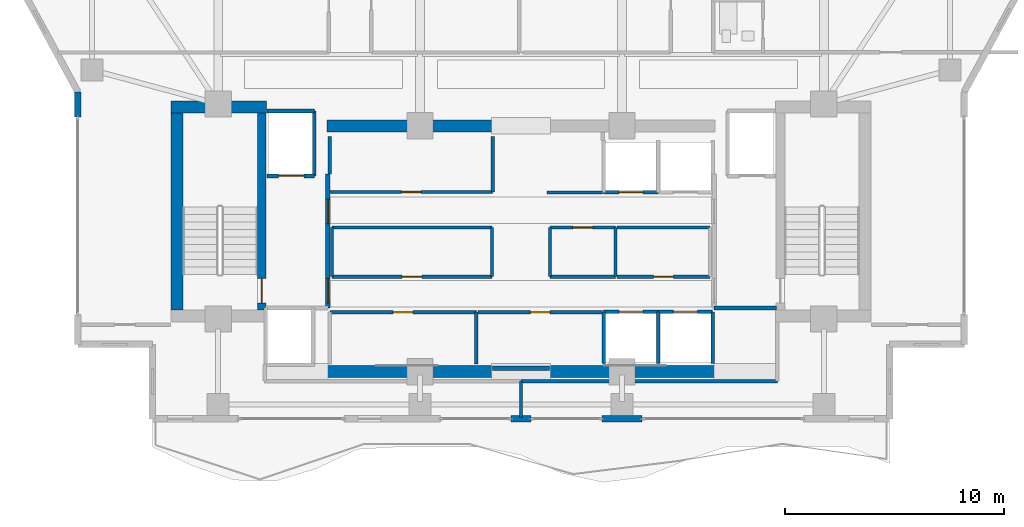
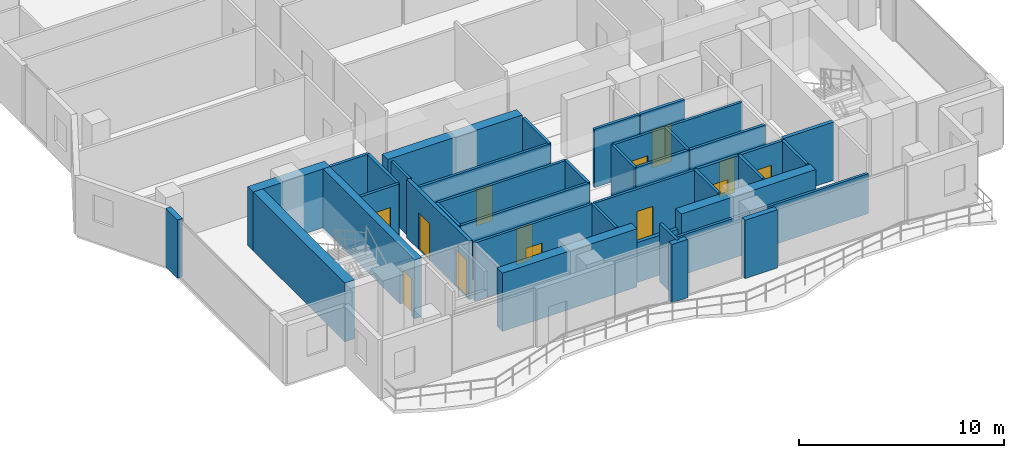
# One storey, part 17 of 23: 40 walls, 13 doors, 13 openings.
"""IFC4 building model written with IfcOpenShell, lengths in metres."""

import ifcopenshell
import ifcopenshell.guid

model = None  # the IFC model being written
_history = None  # IfcOwnerHistory: only IFC2X3 demands one
_inside = {}  # id of a spatial element -> (the spatial element, [elements in it])
_under = {}  # id of a project, library or spatial element -> (it, [spatial elements below it])
_declared = {}  # id of a project -> (the project, [libraries it declares])
_typed = {}  # id of a type object -> (the type object, [elements of that type])
_made_of = {}  # id of a material, layer set ... -> (it, [elements and type objects made of it])


def new_model(schema):
    """Start an empty IFC model of exactly this schema.

    Asked for "IFC4X3", IfcOpenShell would pick the latest addendum, in which some entities
    have other attributes; the version numbers below select the first issue.
    IFC2X3 requires an IfcOwnerHistory on every rooted entity: one is made here for all.
    """
    global model, _history
    if schema == "IFC4X3":
        model = ifcopenshell.file(schema_version=(4, 3, 0, 0))
    else:
        model = ifcopenshell.file(schema=schema)
    _inside.clear()
    _under.clear()
    _declared.clear()
    _typed.clear()
    _made_of.clear()
    _history = None
    if model.schema == "IFC2X3":
        org = make("IfcOrganization", Name="unknown")
        user = make(
            "IfcPersonAndOrganization",
            ThePerson=make("IfcPerson", FamilyName="unknown"),
            TheOrganization=org,
        )
        app = make(
            "IfcApplication",
            ApplicationDeveloper=org,
            Version="unknown",
            ApplicationFullName="unknown",
            ApplicationIdentifier="unknown",
        )
        _history = make(
            "IfcOwnerHistory",
            OwningUser=user,
            OwningApplication=app,
            ChangeAction="ADDED",
            CreationDate=0,
        )
    return model


def make(cls, **values):
    """One entity of the class cls with the attributes given. An attribute that is None is left unset."""
    return model.create_entity(
        cls, **{name: value for name, value in values.items() if value is not None}
    )


def rooted(cls, **values):
    """An entity with a GlobalId (a new one), such as an element, a storey or a relation."""
    return make(cls, GlobalId=ifcopenshell.guid.new(), OwnerHistory=_history, **values)


def si_unit(unit_type, name, prefix=None):
    """IfcSIUnit, for example si_unit("LENGTHUNIT", "METRE", prefix="MILLI")."""
    return make("IfcSIUnit", UnitType=unit_type, Prefix=prefix, Name=name)


def assignment(units):
    """IfcUnitAssignment: the units of a project."""
    return None if units is None else make("IfcUnitAssignment", Units=units)


def point(xyz):
    """IfcCartesianPoint."""
    return None if xyz is None else make("IfcCartesianPoint", Coordinates=xyz)


def direction(xyz):
    """IfcDirection."""
    return None if xyz is None else make("IfcDirection", DirectionRatios=xyz)


def frame(location, z_axis=None, x_axis=None):
    """IfcAxis2Placement3D, a coordinate frame: its origin and axes. An axis left out is left unset."""
    return make(
        "IfcAxis2Placement3D",
        Location=point(location),
        Axis=direction(z_axis),
        RefDirection=direction(x_axis),
    )


def frame_2d(location, x_axis=None):
    """IfcAxis2Placement2D, a coordinate frame in the plane: its origin and x axis."""
    return make(
        "IfcAxis2Placement2D", Location=point(location), RefDirection=direction(x_axis)
    )


def origin():
    """The frame at (0, 0, 0) with its axes left unset."""
    return frame((0.0, 0.0, 0.0))


def place(relative_to, where):
    """IfcLocalPlacement: puts the frame where relative to a parent placement (None: the world)."""
    return make(
        "IfcLocalPlacement", PlacementRelTo=relative_to, RelativePlacement=where
    )


def context(
    kind, dimensions, precision=None, world=None, true_north=None, identifier=None
):
    """IfcGeometricRepresentationContext, for example the 3D "Model" context."""
    return make(
        "IfcGeometricRepresentationContext",
        ContextIdentifier=identifier,
        ContextType=kind,
        CoordinateSpaceDimension=dimensions,
        Precision=precision,
        WorldCoordinateSystem=world,
        TrueNorth=true_north,
    )


def subcontext(parent, identifier, kind, view, scale=None):
    """IfcGeometricRepresentationSubContext, for example "Body" below "Model"."""
    return make(
        "IfcGeometricRepresentationSubContext",
        ContextIdentifier=identifier,
        ContextType=kind,
        ParentContext=parent,
        TargetScale=scale,
        TargetView=view,
    )


def project(units=None, contexts=None):
    """IfcProject with its units and contexts."""
    return rooted(
        "IfcProject",
        Name="project",
        RepresentationContexts=contexts,
        UnitsInContext=assignment(units),
    )


def spatial(cls, under=None, at=None, **own):
    """A site, building, storey or space (cls), placed at a placement, below another one or the project."""
    s = rooted(cls, ObjectPlacement=at, **own)
    if under is not None:
        _under.setdefault(under.id(), (under, []))[1].append(s)
    return s


def profile(cls, at=None, kind="AREA", **sizes):
    """A parametric profile (cls). Its sizes go by their IFC names, for example OverallWidth=200.0."""
    return make(cls, ProfileType=kind, Position=at, **sizes)


def rectangle(**sizes):
    """IfcRectangleProfileDef."""
    return profile("IfcRectangleProfileDef", **sizes)


def extrude(swept, where, along, depth):
    """IfcExtrudedAreaSolid: the profile swept, set in the frame where, extruded along a direction by depth."""
    return make(
        "IfcExtrudedAreaSolid",
        SweptArea=swept,
        Position=where,
        ExtrudedDirection=direction(along),
        Depth=depth,
    )


def shape(context_of_items, identifier, shape_type, items):
    """IfcShapeRepresentation: the items that make up one representation, for example the "Body"."""
    return make(
        "IfcShapeRepresentation",
        ContextOfItems=context_of_items,
        RepresentationIdentifier=identifier,
        RepresentationType=shape_type,
        Items=items,
    )


def material(Name=None, Category=None):
    """IfcMaterial."""
    return make("IfcMaterial", Name=Name, Category=Category)


def layer(
    of_material, thickness, ventilated=None, Name=None, Category=None, Priority=None
):
    """IfcMaterialLayer: one layer of a wall or slab, of a material (None: an air gap)."""
    return make(
        "IfcMaterialLayer",
        Material=of_material,
        LayerThickness=thickness,
        IsVentilated=ventilated,
        Name=Name,
        Category=Category,
        Priority=Priority,
    )


def layer_set(layers, Name=None):
    """IfcMaterialLayerSet."""
    return make("IfcMaterialLayerSet", MaterialLayers=layers, LayerSetName=Name)


def made_of(thing, what):
    """Note that an element or type object is made of a material, layer set ...; save() writes the relation."""
    if what is not None:
        _made_of.setdefault(what.id(), (what, []))[1].append(thing)
    return thing


def type_object(cls, material=None, **own):
    """A type object (cls), such as IfcWallType, which elements share."""
    return made_of(rooted(cls, **own), material)


def element(
    cls,
    number,
    at=None,
    inside=None,
    cuts=None,
    type_object=None,
    material=None,
    context=None,
    identifier="Body",
    shape_type=None,
    held_by="IfcProductDefinitionShape",
    body=None,
    shapes=None,
    **own,
):
    """One element of the class cls, such as IfcWall. Its Tag is "e" and its number.

    at: its placement. inside: the storey or other place that contains it. cuts: it is an
    opening in that element (IfcRelVoidsElement). A single representation is given by context,
    identifier, shape_type and body (its items); several are given by shapes. held_by: the class
    of the entity that holds the representations. save() writes the other relations.
    """
    e = rooted(cls, Tag="e%d" % number, ObjectPlacement=at, **own)
    if body is not None:
        shapes = [shape(context, identifier, shape_type, body)]
    if shapes is not None:
        e.Representation = make(held_by, Representations=shapes)
    if inside is not None:
        _inside.setdefault(inside.id(), (inside, []))[1].append(e)
    if cuts is not None:
        rooted(
            "IfcRelVoidsElement", RelatingBuildingElement=cuts, RelatedOpeningElement=e
        )
    if type_object is not None:
        _typed.setdefault(type_object.id(), (type_object, []))[1].append(e)
    return made_of(e, material)


def fill(opening, filler):
    """IfcRelFillsElement: the door or window that sits in an opening."""
    return rooted(
        "IfcRelFillsElement",
        RelatingOpeningElement=opening,
        RelatedBuildingElement=filler,
    )


def aggregate(whole, parts):
    """IfcRelAggregates: a whole, such as a stair, and the parts it consists of."""
    return rooted("IfcRelAggregates", RelatingObject=whole, RelatedObjects=parts)


def save(model, path):
    """Write the relations noted so far, then the file.

    IfcRelAggregates (storeys below a building ...), IfcRelContainedInSpatialStructure (elements
    in a storey), IfcRelDefinesByType, IfcRelAssociatesMaterial and IfcRelDeclares: one each for
    every whole, place, type object, material and project.
    """
    for whole, parts in _under.values():
        aggregate(whole, parts)
    for where, things in _inside.values():
        rooted(
            "IfcRelContainedInSpatialStructure",
            RelatedElements=things,
            RelatingStructure=where,
        )
    for kind, things in _typed.values():
        rooted("IfcRelDefinesByType", RelatedObjects=things, RelatingType=kind)
    for what, things in _made_of.values():
        rooted("IfcRelAssociatesMaterial", RelatedObjects=things, RelatingMaterial=what)
    for by, libraries in _declared.values():
        rooted("IfcRelDeclares", RelatingContext=by, RelatedDefinitions=libraries)
    model.write(path)


model = new_model("IFC4")

# Units and contexts
model_context = context("Model", 3, precision=1e-05, world=origin(), true_north=direction((0.0, 1.0)))
body_context = subcontext(model_context, "Body", "Model", "MODEL_VIEW")
ifc_project = project(units=[si_unit("LENGTHUNIT", "METRE"), si_unit("AREAUNIT", "SQUARE_METRE"), si_unit("VOLUMEUNIT", "CUBIC_METRE"), si_unit("PLANEANGLEUNIT", "RADIAN"), si_unit("MASSUNIT", "GRAM", prefix="KILO")], contexts=[model_context])

# Site, building, storey
site_placement = place(None, origin())
site = spatial("IfcSite", under=ifc_project, at=site_placement, CompositionType="ELEMENT")
building_placement = place(site_placement, origin())
building = spatial("IfcBuilding", under=site, at=building_placement, Name="Zuhayl Quay Hotel", CompositionType="ELEMENT")
storey_placement = place(building_placement, frame((0.0, 0.0, 261.85009765625)))
storey = spatial("IfcBuildingStorey", under=building, at=storey_placement, Name="L66", CompositionType="ELEMENT", Elevation=261.85009765625)

# Walls
ifc_material_1 = material(Name="Concrete C50/60", Category="concrete")
ifc_layer_1 = layer(ifc_material_1, 0.550048828125, Name="Concrete C50/60", Category="concrete")
ifc_layer_set_1 = layer_set([ifc_layer_1], Name="Concrete C50/60")
wall_type_1 = type_object("IfcWallType", Name="WL_CORE_550", PredefinedType="SHEAR", material=ifc_layer_set_1)
wall_1_placement = place(storey_placement, frame((-15.9599609375, 14.205078125, 0.0), z_axis=(0.0, 0.0, 1.0), x_axis=(1.0, 0.0, 0.0)))
element("IfcWall", 1, at=wall_1_placement, inside=storey, type_object=wall_type_1, Name="L66 Core Shear Wall CW_NW", PredefinedType="SHEAR", context=body_context, shape_type="SweptSolid", body=[
    extrude(rectangle(XDim=4.35986328125, YDim=0.550048828125, at=frame_2d((2.179931640625, 0.0))), origin(), (0.0, 0.0, 1.0), 3.510009765625),
])
wall_2_placement = place(storey_placement, frame((-15.68505859375, 4.969970703125, 0.0), z_axis=(0.0, 0.0, 1.0), x_axis=(0.0, 1.0, 0.0)))
element("IfcWall", 2, at=wall_2_placement, inside=storey, type_object=wall_type_1, Name="L66 Core Shear Wall CW_W", PredefinedType="SHEAR", context=body_context, shape_type="SweptSolid", body=[
    extrude(rectangle(XDim=8.9599609375, YDim=0.550048828125, at=frame_2d((4.47998046875, 0.0))), origin(), (0.0, 0.0, 1.0), 3.510009765625),
])
for number, where, z_axis, x_axis, name in (
    (3, (-8.85009765625, 2.14990234375, 0.0), (0.0, 0.0, 1.0), (1.0, 0.0, 0.0), "L66 Core Shear Wall CW_SC_W"),
    (4, (1.25, 2.14990234375, 0.0), (0.0, 0.0, 1.0), (1.0, 0.0, 0.0), "L66 Core Shear Wall CW_SC_E"),
    (5, (-8.85009765625, 13.35009765625, 0.0), (0.0, 0.0, 1.0), (1.0, 0.0, 0.0), "L66 Core Shear Wall CW_NC_W"),
):
    element("IfcWall", number, at=place(storey_placement, frame(where, z_axis=z_axis, x_axis=x_axis)), inside=storey, type_object=wall_type_1, Name=name, PredefinedType="SHEAR", context=body_context, shape_type="SweptSolid", body=[
        extrude(rectangle(XDim=7.60009765625, YDim=0.550048828125, at=frame_2d((3.800048828125, 0.0))), origin(), (0.0, 0.0, 1.0), 3.47998046875),
    ])
ifc_material_2 = material(Name="Precast concrete C45/55", Category="concrete")
ifc_layer_2 = layer(ifc_material_2, 0.300048828125, Name="Precast concrete C45/55", Category="concrete")
ifc_layer_set_2 = layer_set([ifc_layer_2], Name="Precast concrete C45/55")
wall_type_2 = type_object("IfcWallType", Name="WL_EXT_300", PredefinedType="STANDARD", material=ifc_layer_set_2)
wall_3_placement = place(storey_placement, frame((-20.199951171875, 13.75, 0.0), z_axis=(0.0, 0.0, 1.0), x_axis=(0.0, 1.0, 0.0)))
element("IfcWall", 6, at=wall_3_placement, inside=storey, type_object=wall_type_2, Name="L66 Exterior Precast Wall ENV_L66_E02_EW2", PredefinedType="STANDARD", context=body_context, shape_type="SweptSolid", body=[
    extrude(rectangle(XDim=1.14990234375, YDim=0.300048828125, at=frame_2d((0.574951171875, 0.0))), origin(), (0.0, 0.0, 1.0), 3.47998046875),
])
wall_4_placement = place(storey_placement, frame((5.52001953125, 0.0, 0.0), z_axis=(0.0, 0.0, 1.0), x_axis=(-1.0, 0.0, 0.0)))
element("IfcWall", 7, at=wall_4_placement, inside=storey, type_object=wall_type_2, Name="L66 Exterior Precast Wall ENV_L66_S_EW2", PredefinedType="STANDARD", context=body_context, shape_type="SweptSolid", body=[
    extrude(rectangle(XDim=1.840087890625, YDim=0.300048828125, at=frame_2d((0.919921875, 0.0))), origin(), (0.0, 0.0, 1.0), 3.47998046875),
])
wall_5_placement = place(storey_placement, frame((0.449951171875, 0.0, 0.0), z_axis=(0.0, 0.0, 1.0), x_axis=(-1.0, 0.0, 0.0)))
element("IfcWall", 8, at=wall_5_placement, inside=storey, type_object=wall_type_2, Name="L66 Exterior Precast Wall ENV_L66_S_EW3", PredefinedType="STANDARD", context=body_context, shape_type="SweptSolid", body=[
    extrude(rectangle(XDim=0.89990234375, YDim=0.300048828125, at=frame_2d((0.449951171875, 0.0))), origin(), (0.0, 0.0, 1.0), 3.47998046875),
])

# Wall, opening, door
ifc_material_3 = material(Name="Acoustic Gypsum Partition STC-58")
ifc_layer_3 = layer(ifc_material_3, 0.14990234375, Name="Acoustic Gypsum Partition STC-58")
ifc_layer_set_3 = layer_set([ifc_layer_3], Name="Acoustic Gypsum Partition STC-58")
wall_type_3 = type_object("IfcWallType", Name="WL_PART_150", PredefinedType="PARTITIONING", material=ifc_layer_set_3)
wall_6_placement = place(storey_placement, frame((-8.7099609375, 4.860107421875, 0.0), z_axis=(0.0, 0.0, 1.0), x_axis=(1.0, 0.0, 0.0)))
wall_6 = element("IfcWall", 9, at=wall_6_placement, inside=storey, type_object=wall_type_3, Name="L66 Partition IW_L66_FMP_SW_N", PredefinedType="PARTITIONING", context=body_context, shape_type="SweptSolid", body=[
    extrude(rectangle(XDim=6.669921875, YDim=0.14990234375, at=frame_2d((3.3349609375, 0.0))), origin(), (0.0, 0.0, 1.0), 3.47998046875),
])
opening_1_placement = place(wall_6_placement, frame((2.885009765625, 0.0, 0.0)))
opening_1 = element("IfcOpeningElement", 10, at=opening_1_placement, cuts=wall_6, Name="Opening D06", PredefinedType="OPENING", context=body_context, shape_type="SweptSolid", body=[
    extrude(rectangle(XDim=0.89990234375, YDim=2.14990234375, at=frame_2d((0.449951171875, 1.074951171875))), frame((0.0, 0.0849609375, 0.0), z_axis=(0.0, -1.0, 0.0), x_axis=(1.0, 0.0, 0.0)), (0.0, 0.0, 1.0), 0.169921875),
])
ifc_material_4 = material(Name="Steel ASTM A992 Grade 50", Category="steel")
door_type_1 = type_object("IfcDoorType", Name="DR_INT_900", OperationType="NOTDEFINED", PredefinedType="DOOR", material=ifc_material_4)
door_1_placement = place(opening_1_placement, origin())
door_1 = element("IfcDoor", 11, at=door_1_placement, inside=storey, type_object=door_type_1, Name="L66 Sky-Suite Sommelier Pantry Door", OperationType="SINGLE_SWING_RIGHT", OverallHeight=2.14990234375, OverallWidth=0.89990234375, PredefinedType="DOOR", context=body_context, shape_type="SweptSolid", body=[
    extrude(rectangle(XDim=0.89990234375, YDim=2.14990234375, at=frame_2d((0.449951171875, 1.074951171875))), frame((0.0, 0.02490234375, 0.0), z_axis=(0.0, -1.0, 0.0), x_axis=(1.0, 0.0, 0.0)), (0.0, 0.0, 1.0), 0.050048828125),
])
fill(opening_1, door_1)

wall_7_placement = place(storey_placement, frame((-1.9599609375, 4.860107421875, 0.0), z_axis=(0.0, 0.0, 1.0), x_axis=(1.0, 0.0, 0.0)))
wall_7 = element("IfcWall", 12, at=wall_7_placement, inside=storey, type_object=wall_type_3, Name="L66 Partition IW_L66_FMP_SE_N", PredefinedType="PARTITIONING", context=body_context, shape_type="SweptSolid", body=[
    extrude(rectangle(XDim=5.669921875, YDim=0.14990234375, at=frame_2d((2.8349609375, 0.0))), origin(), (0.0, 0.0, 1.0), 3.47998046875),
])
opening_2_placement = place(wall_7_placement, frame((2.385009765625, 0.0, 0.0)))
opening_2 = element("IfcOpeningElement", 13, at=opening_2_placement, cuts=wall_7, Name="Opening D06", PredefinedType="OPENING", context=body_context, shape_type="SweptSolid", body=[
    extrude(rectangle(XDim=0.89990234375, YDim=2.14990234375, at=frame_2d((0.449951171875, 1.074951171875))), frame((0.0, 0.0849609375, 0.0), z_axis=(0.0, -1.0, 0.0), x_axis=(1.0, 0.0, 0.0)), (0.0, 0.0, 1.0), 0.169921875),
])
door_2_placement = place(opening_2_placement, origin())
door_2 = element("IfcDoor", 14, at=door_2_placement, inside=storey, type_object=door_type_1, Name="L66 Butler Linen Store Door", OperationType="SINGLE_SWING_LEFT", OverallHeight=2.14990234375, OverallWidth=0.89990234375, PredefinedType="DOOR", context=body_context, shape_type="SweptSolid", body=[
    extrude(rectangle(XDim=0.89990234375, YDim=2.14990234375, at=frame_2d((0.449951171875, 1.074951171875))), frame((0.0, 0.02490234375, 0.0), z_axis=(0.0, -1.0, 0.0), x_axis=(1.0, 0.0, 0.0)), (0.0, 0.0, 1.0), 0.050048828125),
])
fill(opening_2, door_2)

wall_8_placement = place(storey_placement, frame((-8.7099609375, 10.340087890625, 0.0), z_axis=(0.0, 0.0, 1.0), x_axis=(1.0, 0.0, 0.0)))
wall_8 = element("IfcWall", 15, at=wall_8_placement, inside=storey, type_object=wall_type_3, Name="L66 Partition IW_L66_FMP_NW_S", PredefinedType="PARTITIONING", context=body_context, shape_type="SweptSolid", body=[
    extrude(rectangle(XDim=7.419921875, YDim=0.14990234375, at=frame_2d((3.7099609375, 0.0))), origin(), (0.0, 0.0, 1.0), 3.47998046875),
])
opening_3_placement = place(wall_8_placement, frame((3.260009765625, 0.0, 0.0)))
opening_3 = element("IfcOpeningElement", 16, at=opening_3_placement, cuts=wall_8, Name="Opening D06", PredefinedType="OPENING", context=body_context, shape_type="SweptSolid", body=[
    extrude(rectangle(XDim=0.89990234375, YDim=2.14990234375, at=frame_2d((0.449951171875, 1.074951171875))), frame((0.0, 0.0849609375, 0.0), z_axis=(0.0, -1.0, 0.0), x_axis=(1.0, 0.0, 0.0)), (0.0, 0.0, 1.0), 0.169921875),
])
door_3_placement = place(opening_3_placement, origin())
door_3 = element("IfcDoor", 17, at=door_3_placement, inside=storey, type_object=door_type_1, Name="L66 Valet Linen Store Door", OperationType="SINGLE_SWING_RIGHT", OverallHeight=2.14990234375, OverallWidth=0.89990234375, PredefinedType="DOOR", context=body_context, shape_type="SweptSolid", body=[
    extrude(rectangle(XDim=0.89990234375, YDim=2.14990234375, at=frame_2d((0.449951171875, 1.074951171875))), frame((0.0, 0.02490234375, 0.0), z_axis=(0.0, -1.0, 0.0), x_axis=(1.0, 0.0, 0.0)), (0.0, 0.0, 1.0), 0.050048828125),
])
fill(opening_3, door_3)

wall_9_placement = place(storey_placement, frame((-8.610107421875, 6.47998046875, 0.0), z_axis=(0.0, 0.0, 1.0), x_axis=(1.0, 0.0, 0.0)))
wall_9 = element("IfcWall", 18, at=wall_9_placement, inside=storey, type_object=wall_type_3, Name="L66 Partition IW_L66_CORE_EL_S", PredefinedType="PARTITIONING", context=body_context, shape_type="SweptSolid", body=[
    extrude(rectangle(XDim=7.2900390625, YDim=0.14990234375, at=frame_2d((3.64501953125, 0.0))), origin(), (0.0, 0.0, 1.0), 3.47998046875),
])
opening_4_placement = place(wall_9_placement, frame((3.195068359375, 0.0, 0.0)))
opening_4 = element("IfcOpeningElement", 19, at=opening_4_placement, cuts=wall_9, Name="Opening D06", PredefinedType="OPENING", context=body_context, shape_type="SweptSolid", body=[
    extrude(rectangle(XDim=0.89990234375, YDim=2.14990234375, at=frame_2d((0.449951171875, 1.074951171875))), frame((0.0, 0.0849609375, 0.0), z_axis=(0.0, -1.0, 0.0), x_axis=(1.0, 0.0, 0.0)), (0.0, 0.0, 1.0), 0.169921875),
])
door_4_placement = place(opening_4_placement, origin())
door_4 = element("IfcDoor", 20, at=door_4_placement, inside=storey, type_object=door_type_1, Name="L66 Floor Electrical Plant Room Door", OperationType="SINGLE_SWING_LEFT", OverallHeight=2.14990234375, OverallWidth=0.89990234375, PredefinedType="DOOR", context=body_context, shape_type="SweptSolid", body=[
    extrude(rectangle(XDim=0.89990234375, YDim=2.14990234375, at=frame_2d((0.449951171875, 1.074951171875))), frame((0.0, 0.02490234375, 0.0), z_axis=(0.0, -1.0, 0.0), x_axis=(1.0, 0.0, 0.0)), (0.0, 0.0, 1.0), 0.050048828125),
])
fill(opening_4, door_4)

wall_10_placement = place(storey_placement, frame((1.320068359375, 8.719970703125, 0.0), z_axis=(0.0, 0.0, 1.0), x_axis=(1.0, 0.0, 0.0)))
wall_10 = element("IfcWall", 21, at=wall_10_placement, inside=storey, type_object=wall_type_3, Name="L66 Partition IW_L66_CORE_IT_N", PredefinedType="PARTITIONING", context=body_context, shape_type="SweptSolid", body=[
    extrude(rectangle(XDim=2.989990234375, YDim=0.14990234375, at=frame_2d((1.4951171875, 0.0))), origin(), (0.0, 0.0, 1.0), 3.47998046875),
])
opening_5_placement = place(wall_10_placement, frame((1.044921875, 0.0, 0.0)))
opening_5 = element("IfcOpeningElement", 22, at=opening_5_placement, cuts=wall_10, Name="Opening D06", PredefinedType="OPENING", context=body_context, shape_type="SweptSolid", body=[
    extrude(rectangle(XDim=0.89990234375, YDim=2.14990234375, at=frame_2d((0.449951171875, 1.074951171875))), frame((0.0, 0.0849609375, 0.0), z_axis=(0.0, -1.0, 0.0), x_axis=(1.0, 0.0, 0.0)), (0.0, 0.0, 1.0), 0.169921875),
])
door_5_placement = place(opening_5_placement, origin())
door_5 = element("IfcDoor", 23, at=door_5_placement, inside=storey, type_object=door_type_1, Name="L66 Telecom Closet Door", OperationType="SINGLE_SWING_RIGHT", OverallHeight=2.14990234375, OverallWidth=0.89990234375, PredefinedType="DOOR", context=body_context, shape_type="SweptSolid", body=[
    extrude(rectangle(XDim=0.89990234375, YDim=2.14990234375, at=frame_2d((0.449951171875, 1.074951171875))), frame((0.0, 0.02490234375, 0.0), z_axis=(0.0, -1.0, 0.0), x_axis=(1.0, 0.0, 0.0)), (0.0, 0.0, 1.0), 0.050048828125),
])
fill(opening_5, door_5)

wall_11_placement = place(storey_placement, frame((4.3701171875, 6.47998046875, 0.0), z_axis=(0.0, 0.0, 1.0), x_axis=(1.0, 0.0, 0.0)))
wall_11 = element("IfcWall", 24, at=wall_11_placement, inside=storey, type_object=wall_type_3, Name="L66 Partition IW_L66_CORE_LN_S", PredefinedType="PARTITIONING", context=body_context, shape_type="SweptSolid", body=[
    extrude(rectangle(XDim=4.239990234375, YDim=0.14990234375, at=frame_2d((2.1201171875, 0.0))), origin(), (0.0, 0.0, 1.0), 3.47998046875),
])
opening_6_placement = place(wall_11_placement, frame((1.669921875, 0.0, 0.0)))
opening_6 = element("IfcOpeningElement", 25, at=opening_6_placement, cuts=wall_11, Name="Opening D06", PredefinedType="OPENING", context=body_context, shape_type="SweptSolid", body=[
    extrude(rectangle(XDim=0.89990234375, YDim=2.14990234375, at=frame_2d((0.449951171875, 1.074951171875))), frame((0.0, 0.0849609375, 0.0), z_axis=(0.0, -1.0, 0.0), x_axis=(1.0, 0.0, 0.0)), (0.0, 0.0, 1.0), 0.169921875),
])
door_6_placement = place(opening_6_placement, origin())
door_6 = element("IfcDoor", 26, at=door_6_placement, inside=storey, type_object=door_type_1, Name="L66 Core Linen Store Door", OperationType="SINGLE_SWING_LEFT", OverallHeight=2.14990234375, OverallWidth=0.89990234375, PredefinedType="DOOR", context=body_context, shape_type="SweptSolid", body=[
    extrude(rectangle(XDim=0.89990234375, YDim=2.14990234375, at=frame_2d((0.449951171875, 1.074951171875))), frame((0.0, 0.02490234375, 0.0), z_axis=(0.0, -1.0, 0.0), x_axis=(1.0, 0.0, 0.0)), (0.0, 0.0, 1.0), 0.050048828125),
])
fill(opening_6, door_6)

# Walls
wall_12_placement = place(storey_placement, frame((-2.0400390625, 2.489990234375, 0.0), z_axis=(0.0, 0.0, 1.0), x_axis=(0.0, 1.0, 0.0)))
element("IfcWall", 27, at=wall_12_placement, inside=storey, type_object=wall_type_3, Name="L66 Partition IW_L66_FMP_SW_E", PredefinedType="PARTITIONING", context=body_context, shape_type="SweptSolid", body=[
    extrude(rectangle(XDim=2.3701171875, YDim=0.14990234375, at=frame_2d((1.18505859375, 0.0))), origin(), (0.0, 0.0, 1.0), 3.47998046875),
])
wall_13_placement = place(storey_placement, frame((-8.7099609375, 11.14990234375, 0.0), z_axis=(0.0, 0.0, 1.0), x_axis=(0.0, 1.0, 0.0)))
element("IfcWall", 28, at=wall_13_placement, inside=storey, type_object=wall_type_3, Name="L66 Partition IW_L66_FMP_NW_W", PredefinedType="PARTITIONING", context=body_context, shape_type="SweptSolid", body=[
    extrude(rectangle(XDim=1.710205078125, YDim=0.14990234375, at=frame_2d((0.85498046875, 0.0))), origin(), (0.0, 0.0, 1.0), 3.47998046875),
])
wall_14_placement = place(storey_placement, frame((-1.2900390625, 10.340087890625, 0.0), z_axis=(0.0, 0.0, 1.0), x_axis=(0.0, 1.0, 0.0)))
element("IfcWall", 29, at=wall_14_placement, inside=storey, type_object=wall_type_3, Name="L66 Partition IW_L66_FMP_NW_E", PredefinedType="PARTITIONING", context=body_context, shape_type="SweptSolid", body=[
    extrude(rectangle(XDim=2.52001953125, YDim=0.14990234375, at=frame_2d((1.260009765625, 0.0))), origin(), (0.0, 0.0, 1.0), 3.47998046875),
])
wall_15_placement = place(storey_placement, frame((-8.610107421875, 8.719970703125, 0.0), z_axis=(0.0, 0.0, 1.0), x_axis=(1.0, 0.0, 0.0)))
element("IfcWall", 30, at=wall_15_placement, inside=storey, type_object=wall_type_3, Name="L66 Partition IW_L66_CORE_EL_N", PredefinedType="PARTITIONING", context=body_context, shape_type="SweptSolid", body=[
    extrude(rectangle(XDim=7.2900390625, YDim=0.14990234375, at=frame_2d((3.64501953125, 0.0))), origin(), (0.0, 0.0, 1.0), 3.47998046875),
])
for number, where, z_axis, x_axis, name in (
    (31, (-8.610107421875, 6.47998046875, 0.0), (0.0, 0.0, 1.0), (0.0, 1.0, 0.0), "L66 Partition IW_L66_CORE_EL_W"),
    (32, (-1.320068359375, 6.47998046875, 0.0), (0.0, 0.0, 1.0), (0.0, 1.0, 0.0), "L66 Partition IW_L66_CORE_EL_E"),
):
    element("IfcWall", number, at=place(storey_placement, frame(where, z_axis=z_axis, x_axis=x_axis)), inside=storey, type_object=wall_type_3, Name=name, PredefinedType="PARTITIONING", context=body_context, shape_type="SweptSolid", body=[
        extrude(rectangle(XDim=2.239990234375, YDim=0.14990234375, at=frame_2d((1.1201171875, 0.0))), origin(), (0.0, 0.0, 1.0), 3.47998046875),
    ])
wall_16_placement = place(storey_placement, frame((1.320068359375, 6.47998046875, 0.0), z_axis=(0.0, 0.0, 1.0), x_axis=(1.0, 0.0, 0.0)))
element("IfcWall", 33, at=wall_16_placement, inside=storey, type_object=wall_type_3, Name="L66 Partition IW_L66_CORE_IT_S", PredefinedType="PARTITIONING", context=body_context, shape_type="SweptSolid", body=[
    extrude(rectangle(XDim=2.989990234375, YDim=0.14990234375, at=frame_2d((1.4951171875, 0.0))), origin(), (0.0, 0.0, 1.0), 3.47998046875),
])
for number, where, z_axis, x_axis, name in (
    (34, (1.320068359375, 6.47998046875, 0.0), (0.0, 0.0, 1.0), (0.0, 1.0, 0.0), "L66 Partition IW_L66_CORE_IT_W"),
    (35, (4.31005859375, 6.47998046875, 0.0), (0.0, 0.0, 1.0), (0.0, 1.0, 0.0), "L66 Partition IW_L66_CORE_IT_E"),
):
    element("IfcWall", number, at=place(storey_placement, frame(where, z_axis=z_axis, x_axis=x_axis)), inside=storey, type_object=wall_type_3, Name=name, PredefinedType="PARTITIONING", context=body_context, shape_type="SweptSolid", body=[
        extrude(rectangle(XDim=2.239990234375, YDim=0.14990234375, at=frame_2d((1.1201171875, 0.0))), origin(), (0.0, 0.0, 1.0), 3.47998046875),
    ])
wall_17_placement = place(storey_placement, frame((4.3701171875, 8.719970703125, 0.0), z_axis=(0.0, 0.0, 1.0), x_axis=(1.0, 0.0, 0.0)))
element("IfcWall", 36, at=wall_17_placement, inside=storey, type_object=wall_type_3, Name="L66 Partition IW_L66_CORE_LN_N", PredefinedType="PARTITIONING", context=body_context, shape_type="SweptSolid", body=[
    extrude(rectangle(XDim=4.239990234375, YDim=0.14990234375, at=frame_2d((2.1201171875, 0.0))), origin(), (0.0, 0.0, 1.0), 3.47998046875),
])
wall_18_placement = place(storey_placement, frame((1.179931640625, 10.320068359375, 0.0), z_axis=(0.0, 0.0, 1.0), x_axis=(1.0, 0.0, 0.0)))
element("IfcWall", 37, at=wall_18_placement, inside=storey, type_object=wall_type_3, Name="L66 Partition IW_L66_VEST_MP4_S", PredefinedType="PARTITIONING", context=body_context, shape_type="SweptSolid", body=[
    extrude(rectangle(XDim=2.5400390625, YDim=0.14990234375, at=frame_2d((1.27001953125, 0.0))), origin(), (0.0, 0.0, 1.0), 3.47998046875),
])
wall_19_placement = place(storey_placement, frame((0.0, 1.719970703125, 0.0), z_axis=(0.0, 0.0, 1.0), x_axis=(1.0, 0.0, 0.0)))
element("IfcWall", 38, at=wall_19_placement, inside=storey, type_object=wall_type_3, Name="L66 Partition IW_L66_Z4_SUN_SE_SN", PredefinedType="PARTITIONING", context=body_context, shape_type="SweptSolid", body=[
    extrude(rectangle(XDim=11.679931640625, YDim=0.14990234375, at=frame_2d((5.83984375, 0.0))), origin(), (0.0, 0.0, 1.0), 2.3798828125),
])
wall_20_placement = place(storey_placement, frame((0.0, 0.06005859375, 0.0), z_axis=(0.0, 0.0, 1.0), x_axis=(0.0, 1.0, 0.0)))
element("IfcWall", 39, at=wall_20_placement, inside=storey, type_object=wall_type_3, Name="L66 Partition IW_L66_Z4_SUN_MID", PredefinedType="PARTITIONING", context=body_context, shape_type="SweptSolid", body=[
    extrude(rectangle(XDim=1.659912109375, YDim=0.14990234375, at=frame_2d((0.830078125, 0.0))), origin(), (0.0, 0.0, 1.0), 3.47998046875),
])

# Wall, opening, door
ifc_material_5 = material(Name="Gypsum Fireboard Assembly EI-90")
ifc_layer_4 = layer(ifc_material_5, 0.1650390625, Name="Gypsum Fireboard Assembly EI-90")
ifc_layer_set_4 = layer_set([ifc_layer_4], Name="Gypsum Fireboard Assembly EI-90")
wall_type_4 = type_object("IfcWallType", Name="WL_PART_SHAFT_160", PredefinedType="PARTITIONING", material=ifc_layer_set_4)
wall_21_placement = place(storey_placement, frame((-11.580078125, 11.070068359375, 0.0), z_axis=(0.0, 0.0, 1.0), x_axis=(1.0, 0.0, 0.0)))
wall_21 = element("IfcWall", 40, at=wall_21_placement, inside=storey, type_object=wall_type_4, Name="L66 Partition IW_L66_SH_FL1_F", PredefinedType="PARTITIONING", context=body_context, shape_type="SweptSolid", body=[
    extrude(rectangle(XDim=2.16015625, YDim=0.1650390625, at=frame_2d((1.080078125, 0.0))), origin(), (0.0, 0.0, 1.0), 3.47998046875),
])
opening_7_placement = place(wall_21_placement, frame((0.530029296875, 0.0, 0.0)))
opening_7 = element("IfcOpeningElement", 41, at=opening_7_placement, cuts=wall_21, Name="Opening LD2", PredefinedType="OPENING", context=body_context, shape_type="SweptSolid", body=[
    extrude(rectangle(XDim=1.14990234375, YDim=2.25, at=frame_2d((0.574951171875, 1.125))), frame((0.0, 0.092529296875, 0.0), z_axis=(0.0, -1.0, 0.0), x_axis=(1.0, 0.0, 0.0)), (0.0, 0.0, 1.0), 0.18505859375),
])
ifc_material_6 = material(Name="Brushed Stainless Steel", Category="steel")
door_type_2 = type_object("IfcDoorType", Name="DR_LIFT_FF_1100", OperationType="SLIDING_TO_LEFT", PredefinedType="DOOR", material=ifc_material_6)
door_7_placement = place(opening_7_placement, origin())
door_7 = element("IfcDoor", 42, at=door_7_placement, inside=storey, type_object=door_type_2, Name="L66 Lift FL1 Sliding Landing Door", OperationType="SLIDING_TO_LEFT", OverallHeight=2.25, OverallWidth=1.14990234375, PredefinedType="DOOR", context=body_context, shape_type="SweptSolid", body=[
    extrude(rectangle(XDim=1.14990234375, YDim=2.25, at=frame_2d((0.574951171875, 1.125))), frame((0.0, 0.02490234375, 0.0), z_axis=(0.0, -1.0, 0.0), x_axis=(1.0, 0.0, 0.0)), (0.0, 0.0, 1.0), 0.050048828125),
])
fill(opening_7, door_7)

wall_22_placement = place(storey_placement, frame((3.77001953125, 4.8798828125, 0.0), z_axis=(0.0, 0.0, 1.0), x_axis=(1.0, 0.0, 0.0)))
wall_22 = element("IfcWall", 43, at=wall_22_placement, inside=storey, type_object=wall_type_4, Name="L66 Partition IW_L66_SH_HP1_F", PredefinedType="PARTITIONING", context=body_context, shape_type="SweptSolid", body=[
    extrude(rectangle(XDim=2.47998046875, YDim=0.1650390625, at=frame_2d((1.239990234375, 0.0))), origin(), (0.0, 0.0, 1.0), 3.47998046875),
])
opening_8_placement = place(wall_22_placement, frame((0.68994140625, 0.0, 0.0)))
opening_8 = element("IfcOpeningElement", 44, at=opening_8_placement, cuts=wall_22, Name="Opening LD1", PredefinedType="OPENING", context=body_context, shape_type="SweptSolid", body=[
    extrude(rectangle(XDim=1.10009765625, YDim=2.25, at=frame_2d((0.550048828125, 1.125))), frame((0.0, 0.092529296875, 0.0), z_axis=(0.0, -1.0, 0.0), x_axis=(1.0, 0.0, 0.0)), (0.0, 0.0, 1.0), 0.18505859375),
])
door_type_3 = type_object("IfcDoorType", Name="DR_LIFT_PASS_1100", OperationType="SLIDING_TO_LEFT", PredefinedType="DOOR", material=ifc_material_6)
door_8_placement = place(opening_8_placement, origin())
door_8 = element("IfcDoor", 45, at=door_8_placement, inside=storey, type_object=door_type_3, Name="L66 Lift HP1 Sliding Landing Door", OperationType="SLIDING_TO_LEFT", OverallHeight=2.25, OverallWidth=1.10009765625, PredefinedType="DOOR", context=body_context, shape_type="SweptSolid", body=[
    extrude(rectangle(XDim=1.10009765625, YDim=2.25, at=frame_2d((0.550048828125, 1.125))), frame((0.0, 0.02490234375, 0.0), z_axis=(0.0, -1.0, 0.0), x_axis=(1.0, 0.0, 0.0)), (0.0, 0.0, 1.0), 0.050048828125),
])
fill(opening_8, door_8)

wall_23_placement = place(storey_placement, frame((6.25, 4.8798828125, 0.0), z_axis=(0.0, 0.0, 1.0), x_axis=(1.0, 0.0, 0.0)))
wall_23 = element("IfcWall", 46, at=wall_23_placement, inside=storey, type_object=wall_type_4, Name="L66 Partition IW_L66_SH_HP2_F", PredefinedType="PARTITIONING", context=body_context, shape_type="SweptSolid", body=[
    extrude(rectangle(XDim=2.47998046875, YDim=0.1650390625, at=frame_2d((1.239990234375, 0.0))), origin(), (0.0, 0.0, 1.0), 3.47998046875),
])
opening_9_placement = place(wall_23_placement, frame((0.68994140625, 0.0, 0.0)))
opening_9 = element("IfcOpeningElement", 47, at=opening_9_placement, cuts=wall_23, Name="Opening LD1", PredefinedType="OPENING", context=body_context, shape_type="SweptSolid", body=[
    extrude(rectangle(XDim=1.10009765625, YDim=2.25, at=frame_2d((0.550048828125, 1.125))), frame((0.0, 0.092529296875, 0.0), z_axis=(0.0, -1.0, 0.0), x_axis=(1.0, 0.0, 0.0)), (0.0, 0.0, 1.0), 0.18505859375),
])
door_9_placement = place(opening_9_placement, origin())
door_9 = element("IfcDoor", 48, at=door_9_placement, inside=storey, type_object=door_type_3, Name="L66 Lift HP2 Sliding Landing Door", OperationType="SLIDING_TO_LEFT", OverallHeight=2.25, OverallWidth=1.10009765625, PredefinedType="DOOR", context=body_context, shape_type="SweptSolid", body=[
    extrude(rectangle(XDim=1.10009765625, YDim=2.25, at=frame_2d((0.550048828125, 1.125))), frame((0.0, 0.02490234375, 0.0), z_axis=(0.0, -1.0, 0.0), x_axis=(1.0, 0.0, 0.0)), (0.0, 0.0, 1.0), 0.050048828125),
])
fill(opening_9, door_9)

wall_24_placement = place(storey_placement, frame((3.77001953125, 10.320068359375, 0.0), z_axis=(0.0, 0.0, 1.0), x_axis=(1.0, 0.0, 0.0)))
wall_24 = element("IfcWall", 49, at=wall_24_placement, inside=storey, type_object=wall_type_4, Name="L66 Partition IW_L66_SH_HP3_F", PredefinedType="PARTITIONING", context=body_context, shape_type="SweptSolid", body=[
    extrude(rectangle(XDim=2.47998046875, YDim=0.1650390625, at=frame_2d((1.239990234375, 0.0))), origin(), (0.0, 0.0, 1.0), 3.47998046875),
])
opening_10_placement = place(wall_24_placement, frame((0.68994140625, 0.0, 0.0)))
opening_10 = element("IfcOpeningElement", 50, at=opening_10_placement, cuts=wall_24, Name="Opening LD1", PredefinedType="OPENING", context=body_context, shape_type="SweptSolid", body=[
    extrude(rectangle(XDim=1.10009765625, YDim=2.25, at=frame_2d((0.550048828125, 1.125))), frame((0.0, 0.092529296875, 0.0), z_axis=(0.0, -1.0, 0.0), x_axis=(1.0, 0.0, 0.0)), (0.0, 0.0, 1.0), 0.18505859375),
])
door_10_placement = place(opening_10_placement, origin())
door_10 = element("IfcDoor", 51, at=door_10_placement, inside=storey, type_object=door_type_3, Name="L66 Lift HP3 Sliding Landing Door", OperationType="SLIDING_TO_LEFT", OverallHeight=2.25, OverallWidth=1.10009765625, PredefinedType="DOOR", context=body_context, shape_type="SweptSolid", body=[
    extrude(rectangle(XDim=1.10009765625, YDim=2.25, at=frame_2d((0.550048828125, 1.125))), frame((0.0, 0.02490234375, 0.0), z_axis=(0.0, -1.0, 0.0), x_axis=(1.0, 0.0, 0.0)), (0.0, 0.0, 1.0), 0.050048828125),
])
fill(opening_10, door_10)

# Walls
wall_25_placement = place(storey_placement, frame((-9.419921875, 11.070068359375, 0.0), z_axis=(0.0, 0.0, 1.0), x_axis=(0.0, 1.0, 0.0)))
element("IfcWall", 52, at=wall_25_placement, inside=storey, type_object=wall_type_4, Name="L66 Partition IW_L66_SH_FL1_E", PredefinedType="PARTITIONING", context=body_context, shape_type="SweptSolid", body=[
    extrude(rectangle(XDim=2.9599609375, YDim=0.1650390625, at=frame_2d((1.47998046875, 0.0))), origin(), (0.0, 0.0, 1.0), 3.47998046875),
])
wall_26_placement = place(storey_placement, frame((-11.580078125, 14.030029296875, 0.0), z_axis=(0.0, 0.0, 1.0), x_axis=(1.0, 0.0, 0.0)))
element("IfcWall", 53, at=wall_26_placement, inside=storey, type_object=wall_type_4, Name="L66 Partition IW_L66_SH_FL1_B", PredefinedType="PARTITIONING", context=body_context, shape_type="SweptSolid", body=[
    extrude(rectangle(XDim=2.16015625, YDim=0.1650390625, at=frame_2d((1.080078125, 0.0))), origin(), (0.0, 0.0, 1.0), 3.47998046875),
])
for number, where, z_axis, x_axis, name in (
    (54, (3.77001953125, 2.52001953125, 0.0), (0.0, 0.0, 1.0), (0.0, 1.0, 0.0), "L66 Partition IW_L66_SH_HP1_W"),
    (55, (6.25, 2.52001953125, 0.0), (0.0, 0.0, 1.0), (0.0, 1.0, 0.0), "L66 Partition IW_L66_SH_HP1_E"),
    (56, (8.72998046875, 2.52001953125, 0.0), (0.0, 0.0, 1.0), (0.0, 1.0, 0.0), "L66 Partition IW_L66_SH_HP2_E"),
):
    element("IfcWall", number, at=place(storey_placement, frame(where, z_axis=z_axis, x_axis=x_axis)), inside=storey, type_object=wall_type_4, Name=name, PredefinedType="PARTITIONING", context=body_context, shape_type="SweptSolid", body=[
        extrude(rectangle(XDim=2.35986328125, YDim=0.1650390625, at=frame_2d((1.179931640625, 0.0))), origin(), (0.0, 0.0, 1.0), 3.47998046875),
    ])

# Wall, openings, doors
ifc_material_7 = material(Name="Gypsum Fireboard Assembly EI-120")
ifc_layer_5 = layer(ifc_material_7, 0.199951171875, Name="Gypsum Fireboard Assembly EI-120")
ifc_layer_set_5 = layer_set([ifc_layer_5], Name="Gypsum Fireboard Assembly EI-120")
wall_type_5 = type_object("IfcWallType", Name="WL_PART_SHAFT_200", PredefinedType="PARTITIONING", material=ifc_layer_set_5)
wall_27_placement = place(storey_placement, frame((-8.800048828125, 5.050048828125, 0.0), z_axis=(0.0, 0.0, 1.0), x_axis=(0.0, 1.0, 0.0)))
wall_27 = element("IfcWall", 57, at=wall_27_placement, inside=storey, type_object=wall_type_5, Name="L66 Partition IW_L66_FSAE_W_E", PredefinedType="PARTITIONING", context=body_context, shape_type="SweptSolid", body=[
    extrude(rectangle(XDim=6.099853515625, YDim=0.199951171875, at=frame_2d((3.0498046875, 0.0))), origin(), (0.0, 0.0, 1.0), 3.47998046875),
])
opening_11_placement = place(wall_27_placement, frame((0.25, 0.0, 0.0)))
opening_11 = element("IfcOpeningElement", 58, at=opening_11_placement, cuts=wall_27, Name="Opening D02", PredefinedType="OPENING", context=body_context, shape_type="SweptSolid", body=[
    extrude(rectangle(XDim=1.10009765625, YDim=2.199951171875, at=frame_2d((0.550048828125, 1.10009765625))), frame((0.0, 0.10986328125, 0.0), z_axis=(0.0, -1.0, 0.0), x_axis=(1.0, 0.0, 0.0)), (0.0, 0.0, 1.0), 0.219970703125),
])
opening_12_placement = place(wall_27_placement, frame((3.85009765625, 0.0, 0.0)))
opening_12 = element("IfcOpeningElement", 59, at=opening_12_placement, cuts=wall_27, Name="Opening D02", PredefinedType="OPENING", context=body_context, shape_type="SweptSolid", body=[
    extrude(rectangle(XDim=1.10009765625, YDim=2.199951171875, at=frame_2d((0.550048828125, 1.10009765625))), frame((0.0, 0.10986328125, 0.0), z_axis=(0.0, -1.0, 0.0), x_axis=(1.0, 0.0, 0.0)), (0.0, 0.0, 1.0), 0.219970703125),
])
door_type_4 = type_object("IfcDoorType", Name="DR_FIRE_90_1100", OperationType="NOTDEFINED", PredefinedType="DOOR", material=ifc_material_4)
door_11_placement = place(opening_11_placement, origin())
door_11 = element("IfcDoor", 60, at=door_11_placement, inside=storey, type_object=door_type_4, Name="L66 FSAE Lobby West South Entry Door", OperationType="SINGLE_SWING_RIGHT", OverallHeight=2.199951171875, OverallWidth=1.10009765625, PredefinedType="DOOR", context=body_context, shape_type="SweptSolid", body=[
    extrude(rectangle(XDim=1.10009765625, YDim=2.199951171875, at=frame_2d((0.550048828125, 1.10009765625))), frame((0.0, 0.02490234375, 0.0), z_axis=(0.0, -1.0, 0.0), x_axis=(1.0, 0.0, 0.0)), (0.0, 0.0, 1.0), 0.050048828125),
])
fill(opening_11, door_11)
door_12_placement = place(opening_12_placement, origin())
door_12 = element("IfcDoor", 61, at=door_12_placement, inside=storey, type_object=door_type_4, Name="L66 FSAE Lobby West North Entry Door", OperationType="SINGLE_SWING_LEFT", OverallHeight=2.199951171875, OverallWidth=1.10009765625, PredefinedType="DOOR", context=body_context, shape_type="SweptSolid", body=[
    extrude(rectangle(XDim=1.10009765625, YDim=2.199951171875, at=frame_2d((0.550048828125, 1.10009765625))), frame((0.0, 0.02490234375, 0.0), z_axis=(0.0, -1.0, 0.0), x_axis=(1.0, 0.0, 0.0)), (0.0, 0.0, 1.0), 0.050048828125),
])
fill(opening_12, door_12)

# Walls
wall_28_placement = place(storey_placement, frame((8.800048828125, 5.050048828125, 0.0), z_axis=(0.0, 0.0, 1.0), x_axis=(1.0, 0.0, 0.0)))
element("IfcWall", 62, at=wall_28_placement, inside=storey, type_object=wall_type_5, Name="L66 Partition IW_L66_FSAE_E_S", PredefinedType="PARTITIONING", context=body_context, shape_type="SweptSolid", body=[
    extrude(rectangle(XDim=2.849853515625, YDim=0.199951171875, at=frame_2d((1.4248046875, 0.0))), origin(), (0.0, 0.0, 1.0), 3.47998046875),
])
wall_29_placement = place(storey_placement, frame((-1.300048828125, 2.300048828125, 0.0), z_axis=(0.0, 0.0, 1.0), x_axis=(1.0, 0.0, 0.0)))
element("IfcWall", 63, at=wall_29_placement, inside=storey, type_object=wall_type_5, Name="L66 Partition IW_L66_CORE_SCM", PredefinedType="PARTITIONING", context=body_context, shape_type="SweptSolid", body=[
    extrude(rectangle(XDim=2.60009765625, YDim=0.199951171875, at=frame_2d((1.300048828125, 0.0))), origin(), (0.0, 0.0, 1.0), 2.3798828125),
])

# Wall, opening, door
ifc_material_8 = material(Name="Concrete C60/75", Category="concrete")
ifc_layer_6 = layer(ifc_material_8, 0.39990234375, Name="Concrete C60/75", Category="concrete")
ifc_layer_set_6 = layer_set([ifc_layer_6], Name="Concrete C60/75")
wall_type_6 = type_object("IfcWallType", Name="WL_STAIR_400", PredefinedType="SHEAR", material=ifc_layer_set_6)
wall_30_placement = place(storey_placement, frame((-11.820068359375, 4.969970703125, 0.0), z_axis=(0.0, 0.0, 1.0), x_axis=(0.0, 1.0, 0.0)))
wall_30 = element("IfcWall", 64, at=wall_30_placement, inside=storey, type_object=wall_type_6, Name="L66 Core Shear Wall SW_ST1", PredefinedType="SHEAR", context=body_context, shape_type="SweptSolid", body=[
    extrude(rectangle(XDim=8.9599609375, YDim=0.39990234375, at=frame_2d((4.47998046875, 0.0))), origin(), (0.0, 0.0, 1.0), 3.510009765625),
])
opening_13_placement = place(wall_30_placement, frame((0.31005859375, 0.0, 0.0)))
opening_13 = element("IfcOpeningElement", 65, at=opening_13_placement, cuts=wall_30, Name="Opening D01", PredefinedType="OPENING", context=body_context, shape_type="SweptSolid", body=[
    extrude(rectangle(XDim=1.1201171875, YDim=2.219970703125, at=frame_2d((0.56005859375, 1.10986328125))), frame((0.0, 0.2099609375, 0.0), z_axis=(0.0, -1.0, 0.0), x_axis=(1.0, 0.0, 0.0)), (0.0, 0.0, 1.0), 0.419921875),
])
door_type_5 = type_object("IfcDoorType", Name="DR_STAIR_90_1100", OperationType="NOTDEFINED", PredefinedType="DOOR", material=ifc_material_4)
door_13_placement = place(opening_13_placement, origin())
door_13 = element("IfcDoor", 66, at=door_13_placement, inside=storey, type_object=door_type_5, Name="L66 Smokeproof Exit Stair ST1 Door", OperationType="SINGLE_SWING_LEFT", OverallHeight=2.219970703125, OverallWidth=1.1201171875, PredefinedType="DOOR", context=body_context, shape_type="SweptSolid", body=[
    extrude(rectangle(XDim=1.1201171875, YDim=2.219970703125, at=frame_2d((0.56005859375, 1.10986328125))), frame((0.0, 0.02490234375, 0.0), z_axis=(0.0, -1.0, 0.0), x_axis=(1.0, 0.0, 0.0)), (0.0, 0.0, 1.0), 0.050048828125),
])
fill(opening_13, door_13)

save(model, "model.ifc")
